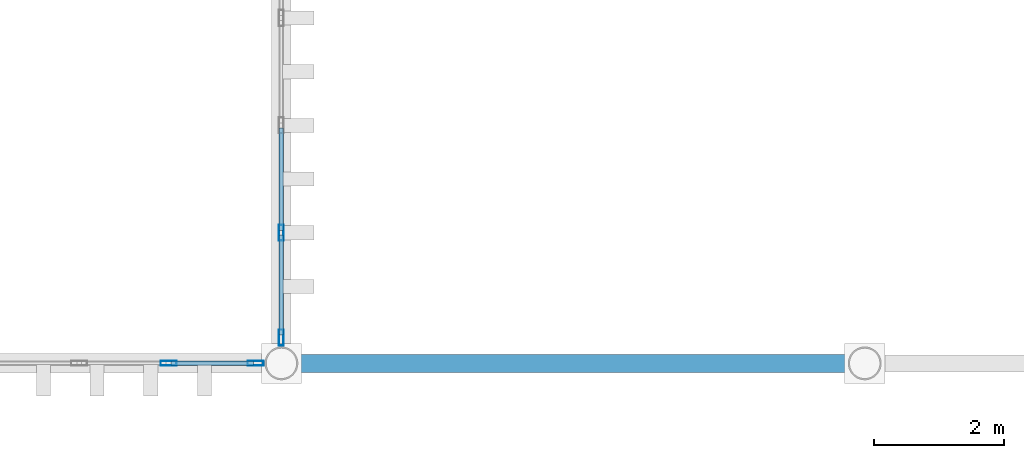
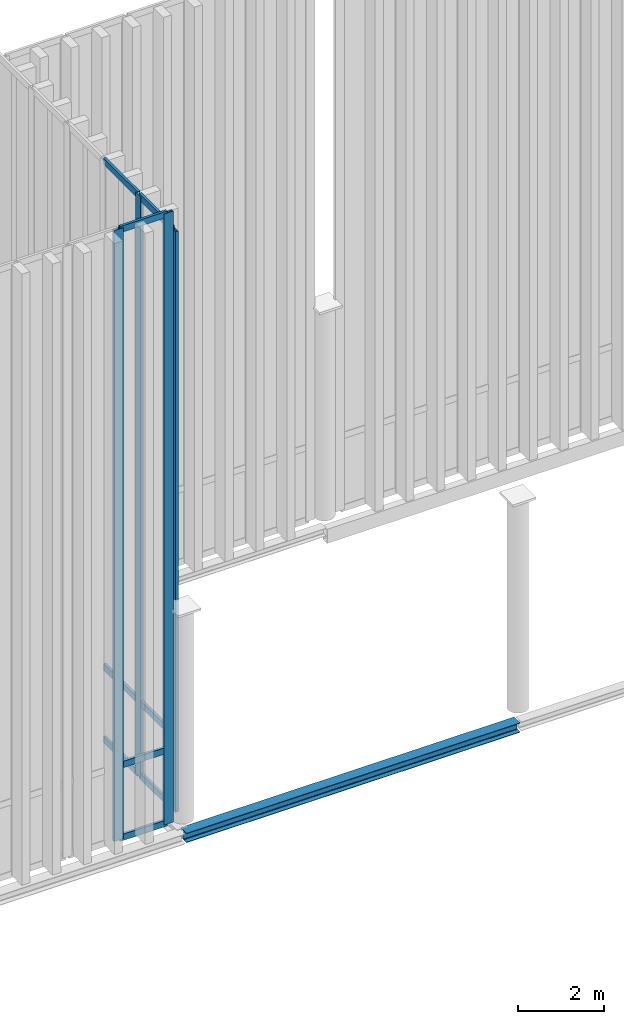
# One storey, part 32 of 237: 13 members, 1 beam, 2 elements without a shape of their own.
"""IFC4 building model written with IfcOpenShell, lengths in metres."""

from ifc_helpers import new_model, si_unit, direction, frame, origin, origin_2d, place, context, subcontext, project, spatial, hollow_rectangle, i_section, extrude, material, layer, layer_set, material_profile, profile_set, type_object, element, aggregate, save


model = new_model("IFC4")

# Units and contexts
model_context = context("Model", 3, precision=1e-05, world=origin(), true_north=direction((0.0, 1.0)))
body_context = subcontext(model_context, "Body", "Model", "MODEL_VIEW")
ifc_project = project(units=[si_unit("LENGTHUNIT", "METRE"), si_unit("AREAUNIT", "SQUARE_METRE"), si_unit("VOLUMEUNIT", "CUBIC_METRE"), si_unit("PLANEANGLEUNIT", "RADIAN"), si_unit("MASSUNIT", "GRAM", prefix="KILO")], contexts=[model_context])

# Site, building, storey
site_placement = place(None, origin())
site = spatial("IfcSite", under=ifc_project, at=site_placement, CompositionType="ELEMENT")
building_placement = place(site_placement, origin())
building = spatial("IfcBuilding", under=site, at=building_placement, Name="Barlavento Convention Centre", CompositionType="ELEMENT")
storey_placement = place(building_placement, frame((0.0, 0.0, 12.0)))
storey = spatial("IfcBuildingStorey", under=building, at=storey_placement, Name="L02", CompositionType="ELEMENT", Elevation=12.0)

# Curtain wall, members
ifc_material_1 = material(Name="Powder-coated aluminium and Low-E glass", Category="aluminium")
ifc_layer = layer(ifc_material_1, 0.18994140625)
ifc_layer_set = layer_set([ifc_layer], Name="ARC-CW-CONG-L02")
curtain_wall_type = type_object("IfcCurtainWallType", Name="ARC-CW-CONG-L02", PredefinedType="NOTDEFINED", material=ifc_layer_set)
curtain_wall_1_placement = place(storey_placement, origin())
curtain_wall_1 = element("IfcCurtainWall", 1, at=curtain_wall_1_placement, inside=storey, type_object=curtain_wall_type, Name="L02 unitised curtain wall CW02", PredefinedType="NOTDEFINED")
ifc_material_2 = material(Name="Powder-coated aluminium", Category="aluminium")
ifc_material_profile_1 = material_profile(ifc_material_2, hollow_rectangle(XDim=0.074951171875, YDim=0.25, WallThickness=0.006103515625, at=origin_2d()), Name="AL-MULL 75x250x6")
ifc_profile_set_1 = profile_set([ifc_material_profile_1], Name="Powder-coated aluminium")
member_type_1 = type_object("IfcMemberType", Name="ARC-CWM-75X250", PredefinedType="MULLION", material=ifc_profile_set_1)
member_1_placement = place(storey_placement, frame((16.2607421875, 0.0, 0.0), z_axis=(0.0, 0.0, 1.0), x_axis=(0.0, 1.0, 0.0)))
member_1 = element("IfcMember", 2, at=member_1_placement, type_object=member_type_1, Name="CW02 mullion 6", PredefinedType="MULLION", context=body_context, shape_type="SweptSolid", body=[
    extrude(hollow_rectangle(XDim=0.074951171875, YDim=0.25, WallThickness=0.006103515625, at=origin_2d()), origin(), (0.0, 0.0, 1.0), 17.35400390625),
])
member_2_placement = place(storey_placement, frame((17.603515625, 0.0, 0.0), z_axis=(0.0, 0.0, 1.0), x_axis=(0.0, 1.0, 0.0)))
member_2 = element("IfcMember", 3, at=member_2_placement, type_object=member_type_1, Name="CW02 mullion 7", PredefinedType="MULLION", context=body_context, shape_type="SweptSolid", body=[
    extrude(hollow_rectangle(XDim=0.074951171875, YDim=0.25, WallThickness=0.006103515625, at=origin_2d()), origin(), (0.0, 0.0, 1.0), 17.35400390625),
])

curtain_wall_2_placement = place(storey_placement, origin())
curtain_wall_2 = element("IfcCurtainWall", 4, at=curtain_wall_2_placement, inside=storey, type_object=curtain_wall_type, Name="L02 unitised curtain wall CW02", PredefinedType="NOTDEFINED")
member_3_placement = place(storey_placement, frame((18.0, 0.396484375, 0.0), z_axis=(0.0, 0.0, 1.0), x_axis=(-1.0, 0.0, 0.0)))
member_3 = element("IfcMember", 5, at=member_3_placement, type_object=member_type_1, Name="CW02 mullion 1", PredefinedType="MULLION", context=body_context, shape_type="SweptSolid", body=[
    extrude(hollow_rectangle(XDim=0.074951171875, YDim=0.25, WallThickness=0.006103515625, at=origin_2d()), origin(), (0.0, 0.0, 1.0), 16.493896484375),
])
member_4_placement = place(storey_placement, frame((18.0, 2.015380859375, 0.0), z_axis=(0.0, 0.0, 1.0), x_axis=(-1.0, 0.0, 0.0)))
member_4 = element("IfcMember", 6, at=member_4_placement, type_object=member_type_1, Name="CW02 mullion 2", PredefinedType="MULLION", context=body_context, shape_type="SweptSolid", body=[
    extrude(hollow_rectangle(XDim=0.074951171875, YDim=0.25, WallThickness=0.006103515625, at=origin_2d()), origin(), (0.0, 0.0, 1.0), 16.493896484375),
])

# Member
ifc_material_profile_2 = material_profile(ifc_material_2, hollow_rectangle(XDim=0.070068359375, YDim=0.179931640625, WallThickness=0.0048828125, at=origin_2d()), Name="AL-TRAN 70x180x5")
ifc_profile_set_2 = profile_set([ifc_material_profile_2], Name="Powder-coated aluminium")
member_type_2 = type_object("IfcMemberType", Name="ARC-CWT-70X180", PredefinedType="USERDEFINED", material=ifc_profile_set_2)
member_5_placement = place(storey_placement, frame((16.298095703125, 0.0, 0.034912109375), z_axis=(1.0, 0.0, 0.0), x_axis=(0.0, 1.0, 0.0)))
member_5 = element("IfcMember", 7, at=member_5_placement, type_object=member_type_2, Name="CW02 transom 6.1", ObjectType="TRANSOM", PredefinedType="USERDEFINED", context=body_context, shape_type="SweptSolid", body=[
    extrude(hollow_rectangle(XDim=0.070068359375, YDim=0.179931640625, WallThickness=0.0048828125, at=origin_2d()), origin(), (0.0, 0.0, 1.0), 1.267822265625),
])

member_6_placement = place(storey_placement, frame((16.298095703125, 0.0, 2.10009765625), z_axis=(1.0, 0.0, 0.0), x_axis=(0.0, 1.0, 0.0)))
member_6 = element("IfcMember", 8, at=member_6_placement, type_object=member_type_2, Name="CW02 transom 6.2", ObjectType="TRANSOM", PredefinedType="USERDEFINED", context=body_context, shape_type="SweptSolid", body=[
    extrude(hollow_rectangle(XDim=0.070068359375, YDim=0.179931640625, WallThickness=0.0048828125, at=origin_2d()), origin(), (0.0, 0.0, 1.0), 1.267822265625),
])

member_7_placement = place(storey_placement, frame((16.298095703125, 0.0, 17.319091796875), z_axis=(1.0, 0.0, 0.0), x_axis=(0.0, 1.0, 0.0)))
member_7 = element("IfcMember", 9, at=member_7_placement, type_object=member_type_2, Name="CW02 transom 6.3", ObjectType="TRANSOM", PredefinedType="USERDEFINED", context=body_context, shape_type="SweptSolid", body=[
    extrude(hollow_rectangle(XDim=0.070068359375, YDim=0.179931640625, WallThickness=0.0048828125, at=origin_2d()), origin(), (0.0, 0.0, 1.0), 1.267822265625),
])

aggregate(curtain_wall_1, [member_1, member_2, member_5, member_6, member_7])

member_8_placement = place(storey_placement, frame((18.0, 0.43408203125, 0.034912109375), z_axis=(0.0, 1.0, 0.0), x_axis=(-1.0, 0.0, 0.0)))
member_8 = element("IfcMember", 10, at=member_8_placement, type_object=member_type_2, Name="CW02 transom 1.1", ObjectType="TRANSOM", PredefinedType="USERDEFINED", context=body_context, shape_type="SweptSolid", body=[
    extrude(hollow_rectangle(XDim=0.070068359375, YDim=0.179931640625, WallThickness=0.0048828125, at=origin_2d()), origin(), (0.0, 0.0, 1.0), 1.543701171875),
])

member_9_placement = place(storey_placement, frame((18.0, 0.43408203125, 2.10009765625), z_axis=(0.0, 1.0, 0.0), x_axis=(-1.0, 0.0, 0.0)))
member_9 = element("IfcMember", 11, at=member_9_placement, type_object=member_type_2, Name="CW02 transom 1.2", ObjectType="TRANSOM", PredefinedType="USERDEFINED", context=body_context, shape_type="SweptSolid", body=[
    extrude(hollow_rectangle(XDim=0.070068359375, YDim=0.179931640625, WallThickness=0.0048828125, at=origin_2d()), origin(), (0.0, 0.0, 1.0), 1.543701171875),
])

member_10_placement = place(storey_placement, frame((18.0, 0.43408203125, 16.458984375), z_axis=(0.0, 1.0, 0.0), x_axis=(-1.0, 0.0, 0.0)))
member_10 = element("IfcMember", 12, at=member_10_placement, type_object=member_type_2, Name="CW02 transom 1.3", ObjectType="TRANSOM", PredefinedType="USERDEFINED", context=body_context, shape_type="SweptSolid", body=[
    extrude(hollow_rectangle(XDim=0.070068359375, YDim=0.179931640625, WallThickness=0.0048828125, at=origin_2d()), origin(), (0.0, 0.0, 1.0), 1.543701171875),
])

member_11_placement = place(storey_placement, frame((18.0, 2.052978515625, 0.034912109375), z_axis=(0.0, 1.0, 0.0), x_axis=(-1.0, 0.0, 0.0)))
member_11 = element("IfcMember", 13, at=member_11_placement, type_object=member_type_2, Name="CW02 transom 2.1", ObjectType="TRANSOM", PredefinedType="USERDEFINED", context=body_context, shape_type="SweptSolid", body=[
    extrude(hollow_rectangle(XDim=0.070068359375, YDim=0.179931640625, WallThickness=0.0048828125, at=origin_2d()), origin(), (0.0, 0.0, 1.0), 1.581298828125),
])

member_12_placement = place(storey_placement, frame((18.0, 2.052978515625, 2.10009765625), z_axis=(0.0, 1.0, 0.0), x_axis=(-1.0, 0.0, 0.0)))
member_12 = element("IfcMember", 14, at=member_12_placement, type_object=member_type_2, Name="CW02 transom 2.2", ObjectType="TRANSOM", PredefinedType="USERDEFINED", context=body_context, shape_type="SweptSolid", body=[
    extrude(hollow_rectangle(XDim=0.070068359375, YDim=0.179931640625, WallThickness=0.0048828125, at=origin_2d()), origin(), (0.0, 0.0, 1.0), 1.581298828125),
])

member_13_placement = place(storey_placement, frame((18.0, 2.052978515625, 16.458984375), z_axis=(0.0, 1.0, 0.0), x_axis=(-1.0, 0.0, 0.0)))
member_13 = element("IfcMember", 15, at=member_13_placement, type_object=member_type_2, Name="CW02 transom 2.3", ObjectType="TRANSOM", PredefinedType="USERDEFINED", context=body_context, shape_type="SweptSolid", body=[
    extrude(hollow_rectangle(XDim=0.070068359375, YDim=0.179931640625, WallThickness=0.0048828125, at=origin_2d()), origin(), (0.0, 0.0, 1.0), 1.581298828125),
])

aggregate(curtain_wall_2, [member_3, member_4, member_8, member_9, member_10, member_11, member_12, member_13])

# Beam
ifc_material_3 = material(Name="Steel S355", Category="steel")
ifc_material_profile_3 = material_profile(ifc_material_3, i_section(OverallWidth=0.280029296875, OverallDepth=0.27001953125, WebThickness=0.008056640625, FlangeThickness=0.012939453125, FilletRadius=0.02392578125, at=origin_2d()), Name="HEA 280")
ifc_profile_set_3 = profile_set([ifc_material_profile_3], Name="Steel S355")
beam_type = type_object("IfcBeamType", Name="STR-BM-SPN-HEA280", PredefinedType="SPANDREL", material=ifc_profile_set_3)
beam_placement = place(storey_placement, frame((18.02001953125, 0.0, -0.4951171875), z_axis=(1.0, 0.0, 0.0), x_axis=(0.0, 1.0, 0.0)))
element("IfcBeam", 16, at=beam_placement, inside=storey, type_object=beam_type, Name="L02 primary girder SP03", PredefinedType="SPANDREL", context=body_context, shape_type="SweptSolid", body=[
    extrude(i_section(OverallWidth=0.280029296875, OverallDepth=0.27001953125, WebThickness=0.008056640625, FlangeThickness=0.012939453125, FilletRadius=0.02392578125, at=origin_2d()), origin(), (0.0, 0.0, 1.0), 8.9599609375),
])

save(model, "model.ifc")
